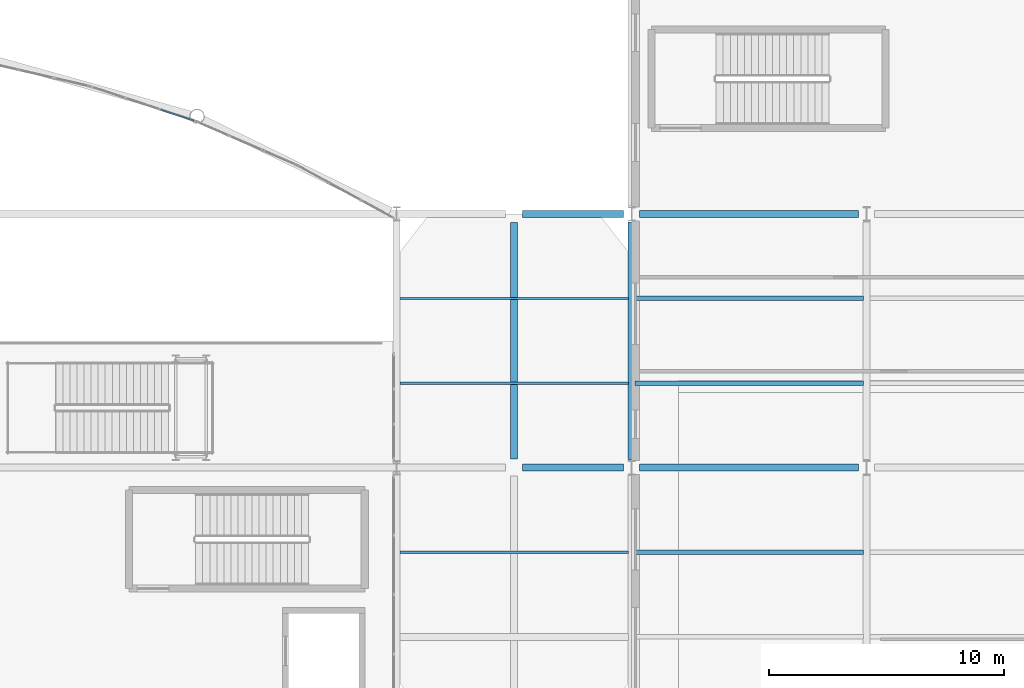
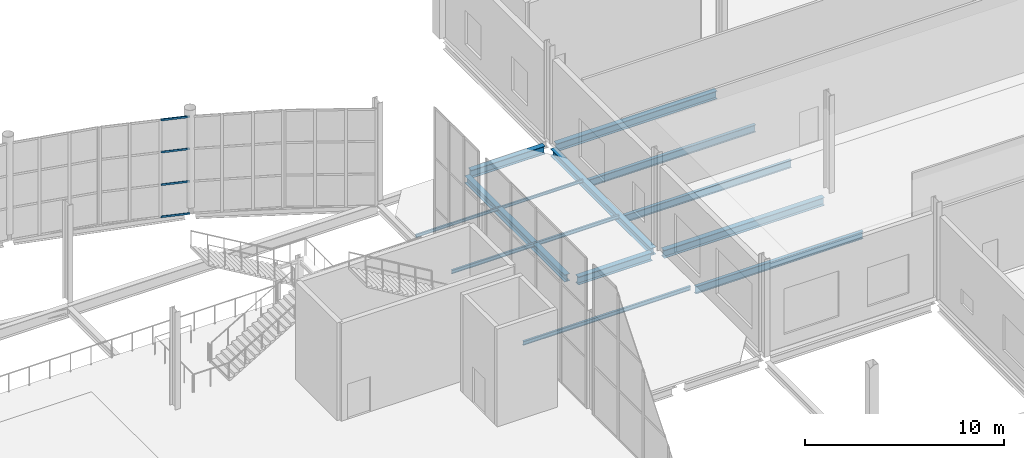
# One storey, part 126 of 191: 12 beams, 4 members, 1 element without a shape of its own.
"""IFC4 building model written with IfcOpenShell, lengths in metres."""

from ifc_helpers import new_model, si_unit, direction, frame, origin, origin_2d, place, context, subcontext, project, spatial, hollow_rectangle, i_section, extrude, material, layer, layer_set, material_profile, profile_set, type_object, element, aggregate, save


model = new_model("IFC4")

# Units and contexts
model_context = context("Model", 3, precision=1e-05, world=origin(), true_north=direction((0.0, 1.0)))
body_context = subcontext(model_context, "Body", "Model", "MODEL_VIEW")
ifc_project = project(units=[si_unit("LENGTHUNIT", "METRE"), si_unit("AREAUNIT", "SQUARE_METRE"), si_unit("VOLUMEUNIT", "CUBIC_METRE"), si_unit("PLANEANGLEUNIT", "RADIAN"), si_unit("MASSUNIT", "GRAM", prefix="KILO")], contexts=[model_context])

# Site, building, storey
site_placement = place(None, origin())
site = spatial("IfcSite", under=ifc_project, at=site_placement, CompositionType="ELEMENT")
building_placement = place(site_placement, origin())
building = spatial("IfcBuilding", under=site, at=building_placement, Name="Tamarisk Ironworks Central Station", CompositionType="ELEMENT")
storey_placement = place(building_placement, frame((0.0, 0.0, 6.60009765625)))
storey = spatial("IfcBuildingStorey", under=building, at=storey_placement, Name="L01", CompositionType="ELEMENT", Elevation=6.60009765625)

# Beams
ifc_material_1 = material(Name="Structural steel S355J2", Category="steel")
ifc_material_profile_1 = material_profile(ifc_material_1, i_section(OverallWidth=0.18994140625, OverallDepth=0.449951171875, WebThickness=0.009521484375, FlangeThickness=0.0146484375, at=origin_2d()), Name="IPE 450")
ifc_profile_set_1 = profile_set([ifc_material_profile_1], Name="Structural steel S355J2")
beam_type_1 = type_object("IfcBeamType", Name="BM-B03", PredefinedType="BEAM", material=ifc_profile_set_1)
for number, where, z_axis, x_axis, name in (
    (1, (118.135009765625, 97.199951171875, -0.47509765625), (1.0, 0.0, 0.0), (0.0, 1.0, 0.0), "L01 secondary composite beam 0073"),
    (2, (118.135009765625, 104.39990234375, -0.47509765625), (1.0, 0.0, 0.0), (0.0, 1.0, 0.0), "L01 secondary composite beam 0074"),
    (3, (118.135009765625, 108.0, -0.47509765625), (1.0, 0.0, 0.0), (0.0, 1.0, 0.0), "L01 secondary composite beam 0075"),
):
    element("IfcBeam", number, at=place(storey_placement, frame(where, z_axis=z_axis, x_axis=x_axis)), inside=storey, type_object=beam_type_1, Name=name, PredefinedType="BEAM", context=body_context, shape_type="SweptSolid", body=[
        extrude(i_section(OverallWidth=0.18994140625, OverallDepth=0.449951171875, WebThickness=0.009521484375, FlangeThickness=0.0146484375, at=origin_2d()), origin(), (0.0, 0.0, 1.0), 9.72998046875),
    ])
ifc_material_profile_2 = material_profile(ifc_material_1, i_section(OverallWidth=0.300048828125, OverallDepth=0.489990234375, WebThickness=0.011962890625, FlangeThickness=0.02294921875, at=origin_2d()), Name="HEA 500")
ifc_profile_set_2 = profile_set([ifc_material_profile_2], Name="Structural steel S355J2")
beam_type_2 = type_object("IfcBeamType", Name="BM-G05", PredefinedType="BEAM", material=ifc_profile_set_2)
beam_1_placement = place(storey_placement, frame((113.363037109375, 100.800048828125, -0.385009765625), z_axis=(1.0, 0.0, 0.0), x_axis=(0.0, 1.0, 0.0)))
element("IfcBeam", 4, at=beam_1_placement, inside=storey, type_object=beam_type_2, Name="L01 primary girder X-0120", PredefinedType="BEAM", context=body_context, shape_type="SweptSolid", body=[
    extrude(i_section(OverallWidth=0.300048828125, OverallDepth=0.489990234375, WebThickness=0.011962890625, FlangeThickness=0.02294921875, at=origin_2d()), origin(), (0.0, 0.0, 1.0), 4.299072265625),
])
beam_2_placement = place(storey_placement, frame((118.337890625, 100.800048828125, -0.4951171875), z_axis=(1.0, 0.0, 0.0), x_axis=(0.0, 1.0, 0.0)))
element("IfcBeam", 5, at=beam_2_placement, inside=storey, type_object=beam_type_2, Name="L01 primary girder X-0121", PredefinedType="BEAM", context=body_context, shape_type="SweptSolid", body=[
    extrude(i_section(OverallWidth=0.300048828125, OverallDepth=0.489990234375, WebThickness=0.011962890625, FlangeThickness=0.02294921875, at=origin_2d()), origin(), (0.0, 0.0, 1.0), 9.32421875),
])
beam_3_placement = place(storey_placement, frame((113.363037109375, 111.60009765625, -0.385009765625), z_axis=(1.0, 0.0, 0.0), x_axis=(0.0, 1.0, 0.0)))
element("IfcBeam", 6, at=beam_3_placement, inside=storey, type_object=beam_type_2, Name="L01 primary girder X-0137", PredefinedType="BEAM", context=body_context, shape_type="SweptSolid", body=[
    extrude(i_section(OverallWidth=0.300048828125, OverallDepth=0.489990234375, WebThickness=0.011962890625, FlangeThickness=0.02294921875, at=origin_2d()), origin(), (0.0, 0.0, 1.0), 4.299072265625),
])
beam_4_placement = place(storey_placement, frame((118.337890625, 111.60009765625, -0.4951171875), z_axis=(1.0, 0.0, 0.0), x_axis=(0.0, 1.0, 0.0)))
element("IfcBeam", 7, at=beam_4_placement, inside=storey, type_object=beam_type_2, Name="L01 primary girder X-0138", PredefinedType="BEAM", context=body_context, shape_type="SweptSolid", body=[
    extrude(i_section(OverallWidth=0.300048828125, OverallDepth=0.489990234375, WebThickness=0.011962890625, FlangeThickness=0.02294921875, at=origin_2d()), origin(), (0.0, 0.0, 1.0), 9.32421875),
])
ifc_material_profile_3 = material_profile(ifc_material_1, i_section(OverallWidth=0.300048828125, OverallDepth=0.43994140625, WebThickness=0.011474609375, FlangeThickness=0.02099609375, at=origin_2d()), Name="HEA 450")
ifc_profile_set_3 = profile_set([ifc_material_profile_3], Name="Structural steel S355J2")
beam_type_3 = type_object("IfcBeamType", Name="BM-G06", PredefinedType="BEAM", material=ifc_profile_set_3)
beam_5_placement = place(storey_placement, frame((113.0, 101.1630859375, -0.360107421875), z_axis=(0.0, 1.0, 0.0), x_axis=(-1.0, 0.0, 0.0)))
element("IfcBeam", 8, at=beam_5_placement, inside=storey, type_object=beam_type_3, Name="L01 primary girder Y-0240", PredefinedType="BEAM", context=body_context, shape_type="SweptSolid", body=[
    extrude(i_section(OverallWidth=0.300048828125, OverallDepth=0.43994140625, WebThickness=0.011474609375, FlangeThickness=0.02099609375, at=origin_2d()), origin(), (0.0, 0.0, 1.0), 10.073974609375),
])
beam_6_placement = place(storey_placement, frame((118.0, 101.137939453125, -0.47021484375), z_axis=(0.0, 1.0, 0.0), x_axis=(-1.0, 0.0, 0.0)))
element("IfcBeam", 9, at=beam_6_placement, inside=storey, type_object=beam_type_3, Name="L01 primary girder Y-0248", PredefinedType="BEAM", context=body_context, shape_type="SweptSolid", body=[
    extrude(i_section(OverallWidth=0.300048828125, OverallDepth=0.43994140625, WebThickness=0.011474609375, FlangeThickness=0.02099609375, at=origin_2d()), origin(), (0.0, 0.0, 1.0), 10.1240234375),
])
ifc_material_profile_4 = material_profile(ifc_material_1, i_section(OverallWidth=0.1201171875, OverallDepth=0.239990234375, WebThickness=0.006103515625, FlangeThickness=0.009765625, at=origin_2d()), Name="IPE 240")
ifc_profile_set_4 = profile_set([ifc_material_profile_4], Name="Structural steel S355J2")
beam_type_4 = type_object("IfcBeamType", Name="BM-J01", PredefinedType="JOIST", material=ifc_profile_set_4)
beam_7_placement = place(storey_placement, frame((108.135009765625, 97.199951171875, -0.260009765625), z_axis=(1.0, 0.0, 0.0), x_axis=(0.0, 1.0, 0.0)))
element("IfcBeam", 10, at=beam_7_placement, inside=storey, type_object=beam_type_4, Name="Forecourt canopy framing beam 006", PredefinedType="JOIST", context=body_context, shape_type="SweptSolid", body=[
    extrude(i_section(OverallWidth=0.1201171875, OverallDepth=0.239990234375, WebThickness=0.006103515625, FlangeThickness=0.009765625, at=origin_2d()), origin(), (0.0, 0.0, 1.0), 9.72998046875),
])
ifc_material_profile_5 = material_profile(ifc_material_1, i_section(OverallWidth=0.110107421875, OverallDepth=0.219970703125, WebThickness=0.005859375, FlangeThickness=0.00927734375, at=origin_2d()), Name="IPE 220")
ifc_profile_set_5 = profile_set([ifc_material_profile_5], Name="Structural steel S355J2")
beam_type_5 = type_object("IfcBeamType", Name="BM-J02", PredefinedType="JOIST", material=ifc_profile_set_5)
beam_8_placement = place(storey_placement, frame((108.135009765625, 104.39990234375, -0.25), z_axis=(1.0, 0.0, 0.0), x_axis=(0.0, 1.0, 0.0)))
element("IfcBeam", 11, at=beam_8_placement, inside=storey, type_object=beam_type_5, Name="Forecourt canopy framing beam 007", PredefinedType="JOIST", context=body_context, shape_type="SweptSolid", body=[
    extrude(i_section(OverallWidth=0.110107421875, OverallDepth=0.219970703125, WebThickness=0.005859375, FlangeThickness=0.00927734375, at=origin_2d()), origin(), (0.0, 0.0, 1.0), 9.72998046875),
])
ifc_material_profile_6 = material_profile(ifc_material_1, i_section(OverallWidth=0.091064453125, OverallDepth=0.179931640625, WebThickness=0.00537109375, FlangeThickness=0.008056640625, at=origin_2d()), Name="IPE 180")
ifc_profile_set_6 = profile_set([ifc_material_profile_6], Name="Structural steel S355J2")
beam_type_6 = type_object("IfcBeamType", Name="BM-J03", PredefinedType="JOIST", material=ifc_profile_set_6)
beam_9_placement = place(storey_placement, frame((108.135009765625, 108.0, -0.22998046875), z_axis=(1.0, 0.0, 0.0), x_axis=(0.0, 1.0, 0.0)))
element("IfcBeam", 12, at=beam_9_placement, inside=storey, type_object=beam_type_6, Name="Forecourt canopy framing beam 008", PredefinedType="JOIST", context=body_context, shape_type="SweptSolid", body=[
    extrude(i_section(OverallWidth=0.091064453125, OverallDepth=0.179931640625, WebThickness=0.00537109375, FlangeThickness=0.008056640625, at=origin_2d()), origin(), (0.0, 0.0, 1.0), 9.72998046875),
])

# Curtain wall, members
ifc_material_2 = material(Name="Anodized aluminium alloy 6063-T6", Category="aluminium")
ifc_layer = layer(ifc_material_2, 0.179931640625)
ifc_layer_set = layer_set([ifc_layer], Name="Anodized aluminium alloy 6063-T6")
curtain_wall_type = type_object("IfcCurtainWallType", Name="CW-02", PredefinedType="USERDEFINED", material=ifc_layer_set)
curtain_wall_placement = place(storey_placement, origin())
curtain_wall = element("IfcCurtainWall", 13, at=curtain_wall_placement, inside=storey, type_object=curtain_wall_type, Name="NN rounded entrance hall L01 curtain wall bay 10", ObjectType="GLAZED CURTAIN WALL", PredefinedType="USERDEFINED")
ifc_material_profile_7 = material_profile(ifc_material_2, hollow_rectangle(XDim=0.06005859375, YDim=0.114990234375, WallThickness=0.00341796875, at=origin_2d()), Name="ALUM 115x60")
ifc_profile_set_7 = profile_set([ifc_material_profile_7], Name="Anodized aluminium alloy 6063-T6")
member_type = type_object("IfcMemberType", Name="CWT-03", PredefinedType="USERDEFINED", material=ifc_profile_set_7)
member_1_placement = place(storey_placement, frame((97.965576171875, 116.03076171875, -0.35498046875), z_axis=(0.949728215622, -0.313075576262, 0.0), x_axis=(0.313075576262, 0.949728215622, 0.0)))
member_1 = element("IfcMember", 14, at=member_1_placement, type_object=member_type, Name="CW02 transom 3.1", ObjectType="TRANSOM", PredefinedType="USERDEFINED", context=body_context, shape_type="SweptSolid", body=[
    extrude(hollow_rectangle(XDim=0.06005859375, YDim=0.114990234375, WallThickness=0.00341796875, at=origin_2d()), origin(), (0.0, 0.0, 1.0), 1.48779296875),
])
member_2_placement = place(storey_placement, frame((97.965576171875, 116.03076171875, 1.61669921875), z_axis=(0.949728215622, -0.313075576262, 0.0), x_axis=(0.313075576262, 0.949728215622, 0.0)))
member_2 = element("IfcMember", 15, at=member_2_placement, type_object=member_type, Name="CW02 transom 3.2", ObjectType="TRANSOM", PredefinedType="USERDEFINED", context=body_context, shape_type="SweptSolid", body=[
    extrude(hollow_rectangle(XDim=0.06005859375, YDim=0.114990234375, WallThickness=0.00341796875, at=origin_2d()), origin(), (0.0, 0.0, 1.0), 1.48779296875),
])
member_3_placement = place(storey_placement, frame((97.965576171875, 116.03076171875, 3.6181640625), z_axis=(0.949728215622, -0.313075576262, 0.0), x_axis=(0.313075576262, 0.949728215622, 0.0)))
member_3 = element("IfcMember", 16, at=member_3_placement, type_object=member_type, Name="CW02 transom 3.3", ObjectType="TRANSOM", PredefinedType="USERDEFINED", context=body_context, shape_type="SweptSolid", body=[
    extrude(hollow_rectangle(XDim=0.06005859375, YDim=0.114990234375, WallThickness=0.00341796875, at=origin_2d()), origin(), (0.0, 0.0, 1.0), 1.48779296875),
])
member_4_placement = place(storey_placement, frame((97.965576171875, 116.03076171875, 5.58984375), z_axis=(0.949728215622, -0.313075576262, 0.0), x_axis=(0.313075576262, 0.949728215622, 0.0)))
member_4 = element("IfcMember", 17, at=member_4_placement, type_object=member_type, Name="CW02 transom 3.4", ObjectType="TRANSOM", PredefinedType="USERDEFINED", context=body_context, shape_type="SweptSolid", body=[
    extrude(hollow_rectangle(XDim=0.06005859375, YDim=0.114990234375, WallThickness=0.00341796875, at=origin_2d()), origin(), (0.0, 0.0, 1.0), 1.48779296875),
])
aggregate(curtain_wall, [member_1, member_2, member_3, member_4])

save(model, "model.ifc")
